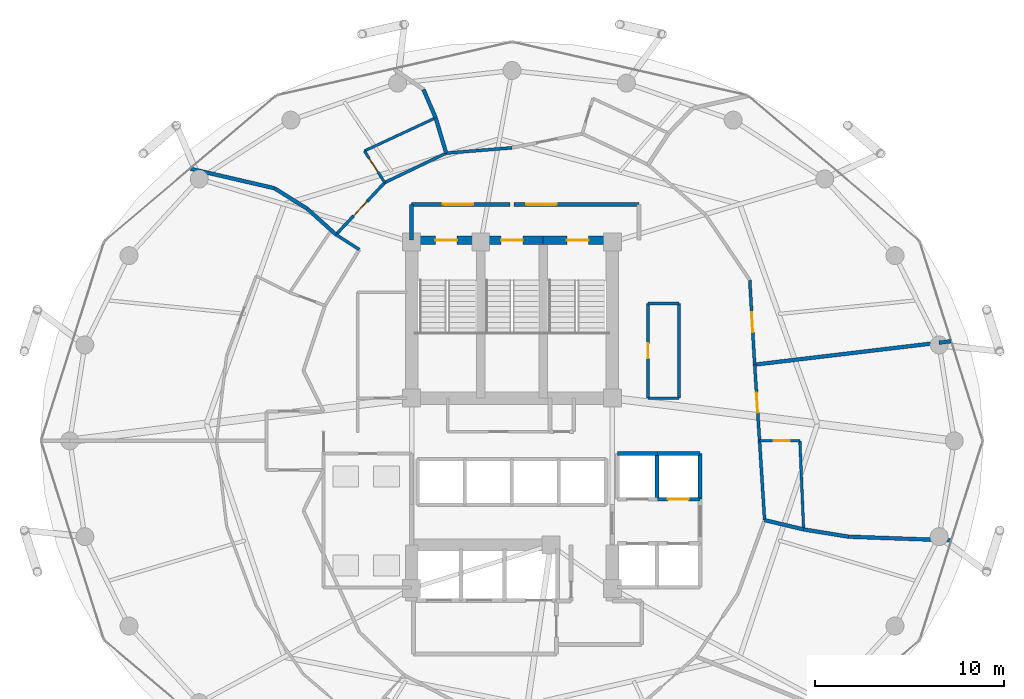
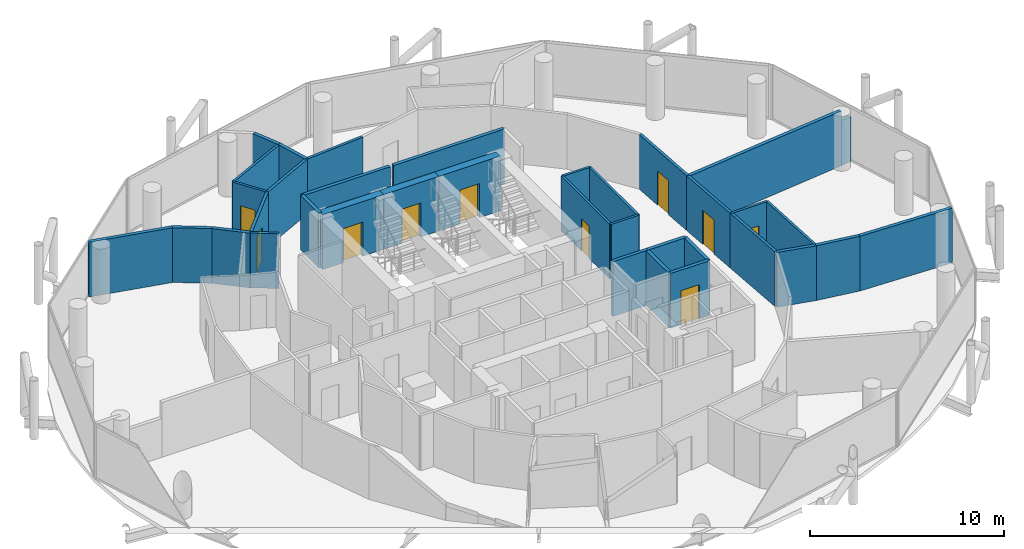
# One storey, part 24 of 26: 36 walls, 12 doors, 12 openings.
"""IFC4 building model written with IfcOpenShell, lengths in metres."""

from ifc_helpers import new_model, si_unit, direction, frame, frame_2d, origin, place, context, subcontext, project, spatial, rectangle, extrude, material, layer, layer_set, type_object, element, fill, save


model = new_model("IFC4")

# Units and contexts
model_context = context("Model", 3, precision=1e-05, world=origin(), true_north=direction((0.0, 1.0)))
body_context = subcontext(model_context, "Body", "Model", "MODEL_VIEW")
ifc_project = project(units=[si_unit("LENGTHUNIT", "METRE"), si_unit("AREAUNIT", "SQUARE_METRE"), si_unit("VOLUMEUNIT", "CUBIC_METRE"), si_unit("PLANEANGLEUNIT", "RADIAN"), si_unit("MASSUNIT", "GRAM", prefix="KILO")], contexts=[model_context])

# Site, building, storey
site_placement = place(None, origin())
site = spatial("IfcSite", under=ifc_project, at=site_placement, CompositionType="ELEMENT")
building_placement = place(site_placement, origin())
building = spatial("IfcBuilding", under=site, at=building_placement, Name="Nuhasar Tower", CompositionType="ELEMENT")
storey_placement = place(building_placement, frame((0.0, 0.0, 118.25)))
storey = spatial("IfcBuildingStorey", under=building, at=storey_placement, Name="L27", CompositionType="ELEMENT", Elevation=118.25)

# Wall, opening, door
ifc_material_1 = material(Name="Concrete C50/60", Category="concrete")
ifc_layer_1 = layer(ifc_material_1, 0.449951171875)
ifc_layer_set_1 = layer_set([ifc_layer_1], Name="Concrete C50/60")
wall_type_1 = type_object("IfcWallType", Name="WL-CORE-450", PredefinedType="SHEAR", material=ifc_layer_set_1)
wall_1_placement = place(storey_placement, frame((37.35009765625, 37.39990234375, 0.0), z_axis=(0.0, 0.0, 1.0), x_axis=(-1.0, 0.0, 0.0)))
wall_1 = element("IfcWall", 1, at=wall_1_placement, inside=storey, type_object=wall_type_1, Name="L27 Stairwell Shear Wall ST01-N", PredefinedType="SHEAR", context=body_context, shape_type="SweptSolid", body=[
    extrude(rectangle(XDim=3.650146484375, YDim=0.449951171875, at=frame_2d((1.8251953125, 0.0))), origin(), (0.0, 0.0, 1.0), 3.449951171875),
])
opening_1_placement = place(wall_1_placement, frame((1.25, 0.0, 0.0)))
opening_1 = element("IfcOpeningElement", 2, at=opening_1_placement, cuts=wall_1, Name="Opening DS-01", PredefinedType="OPENING", context=body_context, shape_type="SweptSolid", body=[
    extrude(rectangle(XDim=1.14990234375, YDim=2.14990234375, at=frame_2d((0.574951171875, 1.074951171875))), frame((0.0, 0.23486328125, 0.0), z_axis=(0.0, -1.0, 0.0), x_axis=(1.0, 0.0, 0.0)), (0.0, 0.0, 1.0), 0.469970703125),
])
ifc_material_2 = material(Name="Steel S355", Category="steel")
door_type_1 = type_object("IfcDoorType", Name="DR-STAIR-FD120-1150", OperationType="NOTDEFINED", PredefinedType="DOOR", material=ifc_material_2)
door_1_placement = place(opening_1_placement, origin())
door_1 = element("IfcDoor", 3, at=door_1_placement, inside=storey, type_object=door_type_1, Name="L27 Exit Stair ST-01 Door", OperationType="SINGLE_SWING_RIGHT", OverallHeight=2.14990234375, OverallWidth=1.14990234375, PredefinedType="DOOR", context=body_context, shape_type="SweptSolid", body=[
    extrude(rectangle(XDim=1.14990234375, YDim=2.14990234375, at=frame_2d((0.574951171875, 1.074951171875))), frame((0.0, 0.02490234375, 0.0), z_axis=(0.0, -1.0, 0.0), x_axis=(1.0, 0.0, 0.0)), (0.0, 0.0, 1.0), 0.050048828125),
])
fill(opening_1, door_1)

wall_2_placement = place(storey_placement, frame((40.64990234375, 37.39990234375, 0.0), z_axis=(0.0, 0.0, 1.0), x_axis=(-1.0, 0.0, 0.0)))
wall_2 = element("IfcWall", 4, at=wall_2_placement, inside=storey, type_object=wall_type_1, Name="L27 Stairwell Shear Wall ST03-N", PredefinedType="SHEAR", context=body_context, shape_type="SweptSolid", body=[
    extrude(rectangle(XDim=3.2998046875, YDim=0.449951171875, at=frame_2d((1.64990234375, 0.0))), origin(), (0.0, 0.0, 1.0), 3.449951171875),
])
opening_2_placement = place(wall_2_placement, frame((1.074951171875, 0.0, 0.0)))
opening_2 = element("IfcOpeningElement", 5, at=opening_2_placement, cuts=wall_2, Name="Opening DS-01", PredefinedType="OPENING", context=body_context, shape_type="SweptSolid", body=[
    extrude(rectangle(XDim=1.14990234375, YDim=2.14990234375, at=frame_2d((0.574951171875, 1.074951171875))), frame((0.0, 0.23486328125, 0.0), z_axis=(0.0, -1.0, 0.0), x_axis=(1.0, 0.0, 0.0)), (0.0, 0.0, 1.0), 0.469970703125),
])
door_2_placement = place(opening_2_placement, origin())
door_2 = element("IfcDoor", 6, at=door_2_placement, inside=storey, type_object=door_type_1, Name="L27 Exit Stair ST-03 Door", OperationType="SINGLE_SWING_RIGHT", OverallHeight=2.14990234375, OverallWidth=1.14990234375, PredefinedType="DOOR", context=body_context, shape_type="SweptSolid", body=[
    extrude(rectangle(XDim=1.14990234375, YDim=2.14990234375, at=frame_2d((0.574951171875, 1.074951171875))), frame((0.0, 0.02490234375, 0.0), z_axis=(0.0, -1.0, 0.0), x_axis=(1.0, 0.0, 0.0)), (0.0, 0.0, 1.0), 0.050048828125),
])
fill(opening_2, door_2)

wall_3_placement = place(storey_placement, frame((44.300048828125, 37.39990234375, 0.0), z_axis=(0.0, 0.0, 1.0), x_axis=(-1.0, 0.0, 0.0)))
wall_3 = element("IfcWall", 7, at=wall_3_placement, inside=storey, type_object=wall_type_1, Name="L27 Stairwell Shear Wall ST02-N", PredefinedType="SHEAR", context=body_context, shape_type="SweptSolid", body=[
    extrude(rectangle(XDim=3.650146484375, YDim=0.449951171875, at=frame_2d((1.8251953125, 0.0))), origin(), (0.0, 0.0, 1.0), 3.449951171875),
])
opening_3_placement = place(wall_3_placement, frame((1.25, 0.0, 0.0)))
opening_3 = element("IfcOpeningElement", 8, at=opening_3_placement, cuts=wall_3, Name="Opening DS-01", PredefinedType="OPENING", context=body_context, shape_type="SweptSolid", body=[
    extrude(rectangle(XDim=1.14990234375, YDim=2.14990234375, at=frame_2d((0.574951171875, 1.074951171875))), frame((0.0, 0.23486328125, 0.0), z_axis=(0.0, -1.0, 0.0), x_axis=(1.0, 0.0, 0.0)), (0.0, 0.0, 1.0), 0.469970703125),
])
door_3_placement = place(opening_3_placement, origin())
door_3 = element("IfcDoor", 9, at=door_3_placement, inside=storey, type_object=door_type_1, Name="L27 Exit Stair ST-02 Door", OperationType="SINGLE_SWING_LEFT", OverallHeight=2.14990234375, OverallWidth=1.14990234375, PredefinedType="DOOR", context=body_context, shape_type="SweptSolid", body=[
    extrude(rectangle(XDim=1.14990234375, YDim=2.14990234375, at=frame_2d((0.574951171875, 1.074951171875))), frame((0.0, 0.02490234375, 0.0), z_axis=(0.0, -1.0, 0.0), x_axis=(1.0, 0.0, 0.0)), (0.0, 0.0, 1.0), 0.050048828125),
])
fill(opening_3, door_3)

# Wall
ifc_material_3 = material(Name="Gypsum Board", Category="gypsum")
ifc_layer_2 = layer(ifc_material_3, 0.159912109375)
ifc_layer_set_2 = layer_set([ifc_layer_2], Name="Gypsum Board")
wall_type_2 = type_object("IfcWallType", Name="WL-CORR-160", PredefinedType="PARTITIONING", material=ifc_layer_set_2)
wall_4_placement = place(storey_placement, frame((52.3369140625, 22.614013671875, 0.0), z_axis=(0.0, 0.0, 1.0), x_axis=(-0.063617518313, 0.997974354061, 0.0)))
element("IfcWall", 10, at=wall_4_placement, inside=storey, type_object=wall_type_2, Name="L27 Interior Partition CORR-46", PredefinedType="PARTITIONING", context=body_context, shape_type="SweptSolid", body=[
    extrude(rectangle(XDim=4.194580078125, YDim=0.159912109375, at=frame_2d((2.09716796875, 0.0))), origin(), (0.0, 0.0, 1.0), 3.449951171875),
])

# Wall, opening, door
wall_5_placement = place(storey_placement, frame((51.81201171875, 30.822021484375, 0.0), z_axis=(0.0, 0.0, 1.0), x_axis=(0.064030047677, -0.997947971086, 0.0)))
wall_5 = element("IfcWall", 11, at=wall_5_placement, inside=storey, type_object=wall_type_2, Name="L27 Interior Partition CORR-00", PredefinedType="PARTITIONING", context=body_context, shape_type="SweptSolid", body=[
    extrude(rectangle(XDim=4.0302734375, YDim=0.159912109375, at=frame_2d((2.01513671875, 0.0))), origin(), (0.0, 0.0, 1.0), 3.449951171875),
])
opening_4_placement = place(wall_5_placement, frame((1.489990234375, 0.0, 0.0)))
opening_4 = element("IfcOpeningElement", 12, at=opening_4_placement, cuts=wall_5, Name="Opening DU-01", PredefinedType="OPENING", context=body_context, shape_type="SweptSolid", body=[
    extrude(rectangle(XDim=1.050048828125, YDim=2.14990234375, at=frame_2d((0.52490234375, 1.074951171875))), frame((0.0, 0.08984375, 0.0), z_axis=(0.0, -1.0, 0.0), x_axis=(1.0, 0.0, 0.0)), (0.0, 0.0, 1.0), 0.179931640625),
])
ifc_material_4 = material(Name="Timber Oak", Category="wood")
door_type_2 = type_object("IfcDoorType", Name="DR-SUITE-FD60-1050", OperationType="NOTDEFINED", PredefinedType="DOOR", material=ifc_material_4)
door_4_placement = place(opening_4_placement, origin())
door_4 = element("IfcDoor", 13, at=door_4_placement, inside=storey, type_object=door_type_2, Name="L27 Deluxe Junior Suite 03 Entrance Door", OperationType="SINGLE_SWING_LEFT", OverallHeight=2.14990234375, OverallWidth=1.050048828125, PredefinedType="DOOR", context=body_context, shape_type="SweptSolid", body=[
    extrude(rectangle(XDim=1.050048828125, YDim=2.14990234375, at=frame_2d((0.52490234375, 1.074951171875))), frame((0.0, 0.02490234375, 0.0), z_axis=(0.0, -1.0, 0.0), x_axis=(1.0, 0.0, 0.0)), (0.0, 0.0, 1.0), 0.050048828125),
])
fill(opening_4, door_4)

wall_6_placement = place(storey_placement, frame((51.552001953125, 35.291015625, 0.0), z_axis=(0.0, 0.0, 1.0), x_axis=(0.058082602913, -0.998311780577, 0.0)))
wall_6 = element("IfcWall", 14, at=wall_6_placement, inside=storey, type_object=wall_type_2, Name="L27 Interior Partition CORR-02", PredefinedType="PARTITIONING", context=body_context, shape_type="SweptSolid", body=[
    extrude(rectangle(XDim=4.4765625, YDim=0.159912109375, at=frame_2d((2.23828125, 0.0))), origin(), (0.0, 0.0, 1.0), 3.449951171875),
])
opening_5_placement = place(wall_6_placement, frame((1.712890625, 0.0, 0.0)))
opening_5 = element("IfcOpeningElement", 15, at=opening_5_placement, cuts=wall_6, Name="Opening DU-01", PredefinedType="OPENING", context=body_context, shape_type="SweptSolid", body=[
    extrude(rectangle(XDim=1.050048828125, YDim=2.14990234375, at=frame_2d((0.52490234375, 1.074951171875))), frame((0.0, 0.08984375, 0.0), z_axis=(0.0, -1.0, 0.0), x_axis=(1.0, 0.0, 0.0)), (0.0, 0.0, 1.0), 0.179931640625),
])
door_5_placement = place(opening_5_placement, origin())
door_5 = element("IfcDoor", 16, at=door_5_placement, inside=storey, type_object=door_type_2, Name="L27 Horizon Breakfast Pantry Entrance Door", OperationType="SINGLE_SWING_RIGHT", OverallHeight=2.14990234375, OverallWidth=1.050048828125, PredefinedType="DOOR", context=body_context, shape_type="SweptSolid", body=[
    extrude(rectangle(XDim=1.050048828125, YDim=2.14990234375, at=frame_2d((0.52490234375, 1.074951171875))), frame((0.0, 0.02490234375, 0.0), z_axis=(0.0, -1.0, 0.0), x_axis=(1.0, 0.0, 0.0)), (0.0, 0.0, 1.0), 0.050048828125),
])
fill(opening_5, door_5)

# Walls
wall_7_placement = place(storey_placement, frame((39.0, 42.27001953125, 0.0), z_axis=(0.0, 0.0, 1.0), x_axis=(-0.99676721303, -0.080343780277, 0.0)))
element("IfcWall", 17, at=wall_7_placement, inside=storey, type_object=wall_type_2, Name="L27 Interior Partition CORR-12", PredefinedType="PARTITIONING", context=body_context, shape_type="SweptSolid", body=[
    extrude(rectangle(XDim=3.4853515625, YDim=0.159912109375, at=frame_2d((1.74267578125, 0.0))), origin(), (0.0, 0.0, 1.0), 3.449951171875),
])
wall_8_placement = place(storey_placement, frame((35.52587890625, 41.989990234375, 0.0), z_axis=(0.0, 0.0, 1.0), x_axis=(-0.901911315708, -0.43192126435, 0.0)))
element("IfcWall", 18, at=wall_8_placement, inside=storey, type_object=wall_type_2, Name="L27 Interior Partition CORR-14", PredefinedType="PARTITIONING", context=body_context, shape_type="SweptSolid", body=[
    extrude(rectangle(XDim=3.59765625, YDim=0.159912109375, at=frame_2d((1.798828125, 0.0))), origin(), (0.0, 0.0, 1.0), 3.449951171875),
])

# Wall, opening, door
wall_9_placement = place(storey_placement, frame((29.7080078125, 37.68701171875, 0.0), z_axis=(0.0, 0.0, 1.0), x_axis=(0.683345616113, 0.730095041032, 0.0)))
wall_9 = element("IfcWall", 19, at=wall_9_placement, inside=storey, type_object=wall_type_2, Name="L27 Interior Partition CORR-16", PredefinedType="PARTITIONING", context=body_context, shape_type="SweptSolid", body=[
    extrude(rectangle(XDim=3.765380859375, YDim=0.159912109375, at=frame_2d((1.8828125, 0.0))), origin(), (0.0, 0.0, 1.0), 3.449951171875),
])
opening_6_placement = place(wall_9_placement, frame((1.35791015625, 0.0, 0.0)))
opening_6 = element("IfcOpeningElement", 20, at=opening_6_placement, cuts=wall_9, Name="Opening DU-01", PredefinedType="OPENING", context=body_context, shape_type="SweptSolid", body=[
    extrude(rectangle(XDim=1.050048828125, YDim=2.14990234375, at=frame_2d((0.52490234375, 1.074951171875))), frame((0.0, 0.08984375, 0.0), z_axis=(0.0, -1.0, 0.0), x_axis=(1.0, 0.0, 0.0)), (0.0, 0.0, 1.0), 0.179931640625),
])
door_6_placement = place(opening_6_placement, origin())
door_6 = element("IfcDoor", 21, at=door_6_placement, inside=storey, type_object=door_type_2, Name="L27 Deluxe Junior Suite 06 Entrance Door", OperationType="SINGLE_SWING_LEFT", OverallHeight=2.14990234375, OverallWidth=1.050048828125, PredefinedType="DOOR", context=body_context, shape_type="SweptSolid", body=[
    extrude(rectangle(XDim=1.050048828125, YDim=2.14990234375, at=frame_2d((0.52490234375, 1.074951171875))), frame((0.0, 0.02490234375, 0.0), z_axis=(0.0, -1.0, 0.0), x_axis=(1.0, 0.0, 0.0)), (0.0, 0.0, 1.0), 0.050048828125),
])
fill(opening_6, door_6)

# Walls
wall_10_placement = place(storey_placement, frame((30.93896484375, 36.89697265625, 0.0), z_axis=(0.0, 0.0, 1.0), x_axis=(-0.841579560028, 0.5401331726, 0.0)))
element("IfcWall", 22, at=wall_10_placement, inside=storey, type_object=wall_type_2, Name="L27 Interior Partition HRAD-18-IN", PredefinedType="PARTITIONING", context=body_context, shape_type="SweptSolid", body=[
    extrude(rectangle(XDim=1.462646484375, YDim=0.159912109375, at=frame_2d((0.7314453125, 0.0))), origin(), (0.0, 0.0, 1.0), 3.449951171875),
])
ifc_material_5 = material(Name="Concrete C45/55", Category="concrete")
ifc_layer_3 = layer(ifc_material_5, 0.199951171875)
ifc_layer_set_3 = layer_set([ifc_layer_3], Name="Concrete C45/55")
wall_type_3 = type_object("IfcWallType", Name="WL-LOBBY-200", PredefinedType="SOLIDWALL", material=ifc_layer_set_3)
wall_11_placement = place(storey_placement, frame((33.699951171875, 37.39990234375, 0.0), z_axis=(0.0, 0.0, 1.0), x_axis=(0.0, 1.0, 0.0)))
element("IfcWall", 23, at=wall_11_placement, inside=storey, type_object=wall_type_3, Name="L27 Interior Partition NSL-W", PredefinedType="SOLIDWALL", context=body_context, shape_type="SweptSolid", body=[
    extrude(rectangle(XDim=1.880126953125, YDim=0.199951171875, at=frame_2d((0.93994140625, 0.0))), origin(), (0.0, 0.0, 1.0), 3.449951171875),
])

# Wall, opening, door
wall_12_placement = place(storey_placement, frame((38.89990234375, 39.280029296875, 0.0), z_axis=(0.0, 0.0, 1.0), x_axis=(-1.0, 0.0, 0.0)))
wall_12 = element("IfcWall", 24, at=wall_12_placement, inside=storey, type_object=wall_type_3, Name="L27 Interior Partition NSL-N1", PredefinedType="SOLIDWALL", context=body_context, shape_type="SweptSolid", body=[
    extrude(rectangle(XDim=5.199951171875, YDim=0.199951171875, at=frame_2d((2.60009765625, 0.0))), origin(), (0.0, 0.0, 1.0), 3.449951171875),
])
opening_7_placement = place(wall_12_placement, frame((1.949951171875, 0.0, 0.0)))
opening_7 = element("IfcOpeningElement", 25, at=opening_7_placement, cuts=wall_12, Name="Opening DC-01", PredefinedType="OPENING", context=body_context, shape_type="SweptSolid", body=[
    extrude(rectangle(XDim=1.60009765625, YDim=2.199951171875, at=frame_2d((0.800048828125, 1.10009765625))), frame((0.0, 0.10986328125, 0.0), z_axis=(0.0, -1.0, 0.0), x_axis=(1.0, 0.0, 0.0)), (0.0, 0.0, 1.0), 0.219970703125),
])
door_type_3 = type_object("IfcDoorType", Name="DR-CORR-FD60-1600", OperationType="DOUBLE_DOOR_SINGLE_SWING", PredefinedType="DOOR", material=ifc_material_2)
door_7_placement = place(opening_7_placement, origin())
door_7 = element("IfcDoor", 26, at=door_7_placement, inside=storey, type_object=door_type_3, Name="L27 North Stair Lobby West Door", OperationType="DOUBLE_DOOR_SINGLE_SWING", OverallHeight=2.199951171875, OverallWidth=1.60009765625, PredefinedType="DOOR", context=body_context, shape_type="SweptSolid", body=[
    extrude(rectangle(XDim=1.60009765625, YDim=2.199951171875, at=frame_2d((0.800048828125, 1.10009765625))), frame((0.0, 0.02490234375, 0.0), z_axis=(0.0, -1.0, 0.0), x_axis=(1.0, 0.0, 0.0)), (0.0, 0.0, 1.0), 0.050048828125),
])
fill(opening_7, door_7)

wall_13_placement = place(storey_placement, frame((45.699951171875, 39.280029296875, 0.0), z_axis=(0.0, 0.0, 1.0), x_axis=(-1.0, 0.0, 0.0)))
wall_13 = element("IfcWall", 27, at=wall_13_placement, inside=storey, type_object=wall_type_3, Name="L27 Interior Partition NSL-N2", PredefinedType="SOLIDWALL", context=body_context, shape_type="SweptSolid", body=[
    extrude(rectangle(XDim=6.599853515625, YDim=0.199951171875, at=frame_2d((3.2998046875, 0.0))), origin(), (0.0, 0.0, 1.0), 3.449951171875),
])
opening_8_placement = place(wall_13_placement, frame((4.35009765625, 0.0, 0.0)))
opening_8 = element("IfcOpeningElement", 28, at=opening_8_placement, cuts=wall_13, Name="Opening DC-01", PredefinedType="OPENING", context=body_context, shape_type="SweptSolid", body=[
    extrude(rectangle(XDim=1.60009765625, YDim=2.199951171875, at=frame_2d((0.800048828125, 1.10009765625))), frame((0.0, 0.10986328125, 0.0), z_axis=(0.0, -1.0, 0.0), x_axis=(1.0, 0.0, 0.0)), (0.0, 0.0, 1.0), 0.219970703125),
])
door_8_placement = place(opening_8_placement, origin())
door_8 = element("IfcDoor", 29, at=door_8_placement, inside=storey, type_object=door_type_3, Name="L27 North Stair Lobby East Door", OperationType="DOUBLE_DOOR_SINGLE_SWING", OverallHeight=2.199951171875, OverallWidth=1.60009765625, PredefinedType="DOOR", context=body_context, shape_type="SweptSolid", body=[
    extrude(rectangle(XDim=1.60009765625, YDim=2.199951171875, at=frame_2d((0.800048828125, 1.10009765625))), frame((0.0, 0.02490234375, 0.0), z_axis=(0.0, -1.0, 0.0), x_axis=(1.0, 0.0, 0.0)), (0.0, 0.0, 1.0), 0.050048828125),
])
fill(opening_8, door_8)

# Walls
ifc_layer_4 = layer(ifc_material_5, 0.199951171875)
ifc_layer_set_4 = layer_set([ifc_layer_4], Name="Concrete C45/55")
wall_type_4 = type_object("IfcWallType", Name="WL-SHAFT-200", PredefinedType="SOLIDWALL", material=ifc_layer_set_4)
wall_14_placement = place(storey_placement, frame((44.570068359375, 26.1298828125, 0.0), z_axis=(0.0, 0.0, 1.0), x_axis=(1.0, 0.0, 0.0)))
element("IfcWall", 30, at=wall_14_placement, inside=storey, type_object=wall_type_4, Name="L27 Interior Partition SHF-PL-M01-N", PredefinedType="SOLIDWALL", context=body_context, shape_type="SweptSolid", body=[
    extrude(rectangle(XDim=2.10986328125, YDim=0.199951171875, at=frame_2d((1.054931640625, 0.0))), origin(), (0.0, 0.0, 1.0), 3.449951171875),
])
wall_15_placement = place(storey_placement, frame((46.64990234375, 23.719970703125, 0.0), z_axis=(0.0, 0.0, 1.0), x_axis=(0.0, 1.0, 0.0)))
element("IfcWall", 31, at=wall_15_placement, inside=storey, type_object=wall_type_4, Name="L27 Interior Partition SHF-PL-M01-E", PredefinedType="SOLIDWALL", context=body_context, shape_type="SweptSolid", body=[
    extrude(rectangle(XDim=2.409912109375, YDim=0.199951171875, at=frame_2d((1.205078125, 0.0))), origin(), (0.0, 0.0, 1.0), 3.449951171875),
])

# Wall, opening, door
wall_16_placement = place(storey_placement, frame((46.6201171875, 23.719970703125, 0.0), z_axis=(0.0, 0.0, 1.0), x_axis=(1.0, 0.0, 0.0)))
wall_16 = element("IfcWall", 32, at=wall_16_placement, inside=storey, type_object=wall_type_4, Name="L27 Interior Partition SHF-PL-M02-S", PredefinedType="SOLIDWALL", context=body_context, shape_type="SweptSolid", body=[
    extrude(rectangle(XDim=2.309814453125, YDim=0.199951171875, at=frame_2d((1.15478515625, 0.0))), origin(), (0.0, 0.0, 1.0), 3.449951171875),
])
opening_9_placement = place(wall_16_placement, frame((0.60498046875, 0.0, 0.0)))
opening_9 = element("IfcOpeningElement", 33, at=opening_9_placement, cuts=wall_16, Name="Opening LD-M02", PredefinedType="OPENING", context=body_context, shape_type="SweptSolid", body=[
    extrude(rectangle(XDim=1.10009765625, YDim=2.14990234375, at=frame_2d((0.550048828125, 1.074951171875))), frame((0.0, 0.10986328125, 0.0), z_axis=(0.0, -1.0, 0.0), x_axis=(1.0, 0.0, 0.0)), (0.0, 0.0, 1.0), 0.219970703125),
])
ifc_material_6 = material(Name="Stainless Steel 316L", Category="steel")
door_type_4 = type_object("IfcDoorType", Name="LD-PAX-1100", OperationType="DOUBLE_DOOR_SLIDING", PredefinedType="DOOR", material=ifc_material_6)
door_9_placement = place(opening_9_placement, origin())
door_9 = element("IfcDoor", 34, at=door_9_placement, inside=storey, type_object=door_type_4, Name="L27 Lift Landing Door PL-M02", OperationType="DOUBLE_DOOR_SLIDING", OverallHeight=2.14990234375, OverallWidth=1.10009765625, PredefinedType="DOOR", context=body_context, shape_type="SweptSolid", body=[
    extrude(rectangle(XDim=1.10009765625, YDim=2.14990234375, at=frame_2d((0.550048828125, 1.074951171875))), frame((0.0, 0.02490234375, 0.0), z_axis=(0.0, -1.0, 0.0), x_axis=(1.0, 0.0, 0.0)), (0.0, 0.0, 1.0), 0.050048828125),
])
fill(opening_9, door_9)

# Walls
wall_17_placement = place(storey_placement, frame((46.6201171875, 26.1298828125, 0.0), z_axis=(0.0, 0.0, 1.0), x_axis=(1.0, 0.0, 0.0)))
element("IfcWall", 35, at=wall_17_placement, inside=storey, type_object=wall_type_4, Name="L27 Interior Partition SHF-PL-M02-N", PredefinedType="SOLIDWALL", context=body_context, shape_type="SweptSolid", body=[
    extrude(rectangle(XDim=2.309814453125, YDim=0.199951171875, at=frame_2d((1.15478515625, 0.0))), origin(), (0.0, 0.0, 1.0), 3.449951171875),
])
wall_18_placement = place(storey_placement, frame((48.929931640625, 23.719970703125, 0.0), z_axis=(0.0, 0.0, 1.0), x_axis=(0.0, 1.0, 0.0)))
element("IfcWall", 36, at=wall_18_placement, inside=storey, type_object=wall_type_4, Name="L27 Interior Partition SHF-PL-M02-E", PredefinedType="SOLIDWALL", context=body_context, shape_type="SweptSolid", body=[
    extrude(rectangle(XDim=2.409912109375, YDim=0.199951171875, at=frame_2d((1.205078125, 0.0))), origin(), (0.0, 0.0, 1.0), 3.449951171875),
])
ifc_material_7 = material(Name="Concrete C40/50 precast", Category="concrete")
ifc_layer_5 = layer(ifc_material_7, 0.199951171875)
ifc_layer_set_5 = layer_set([ifc_layer_5], Name="Concrete C40/50 precast")
wall_type_5 = type_object("IfcWallType", Name="WL-UNIT-200", PredefinedType="PARTITIONING", material=ifc_layer_set_5)
wall_19_placement = place(storey_placement, frame((29.7080078125, 37.68701171875, 0.0), z_axis=(0.0, 0.0, 1.0), x_axis=(-0.74324040167, 0.669024442996, 0.0)))
element("IfcWall", 37, at=wall_19_placement, inside=storey, type_object=wall_type_5, Name="L27 Interior Partition HRAD-18-OUT-S1", PredefinedType="PARTITIONING", context=body_context, shape_type="SweptSolid", body=[
    extrude(rectangle(XDim=2.032958984375, YDim=0.199951171875, at=frame_2d((1.0166015625, 0.0))), origin(), (0.0, 0.0, 1.0), 3.449951171875),
])
wall_20_placement = place(storey_placement, frame((28.197021484375, 39.047119140625, 0.0), z_axis=(0.0, 0.0, 1.0), x_axis=(-0.847831276323, 0.530266090646, 0.0)))
element("IfcWall", 38, at=wall_20_placement, inside=storey, type_object=wall_type_5, Name="L27 Interior Partition HRAD-18-OUT-S2", PredefinedType="PARTITIONING", context=body_context, shape_type="SweptSolid", body=[
    extrude(rectangle(XDim=2.053466796875, YDim=0.199951171875, at=frame_2d((1.02685546875, 0.0))), origin(), (0.0, 0.0, 1.0), 3.449951171875),
])
wall_21_placement = place(storey_placement, frame((26.4560546875, 40.135986328125, 0.0), z_axis=(0.0, 0.0, 1.0), x_axis=(-0.974112463391, 0.226063948177, 0.0)))
element("IfcWall", 39, at=wall_21_placement, inside=storey, type_object=wall_type_5, Name="L27 Interior Partition HRAD-18-OUT-S3", PredefinedType="PARTITIONING", context=body_context, shape_type="SweptSolid", body=[
    extrude(rectangle(XDim=4.529296875, YDim=0.199951171875, at=frame_2d((2.2646484375, 0.0))), origin(), (0.0, 0.0, 1.0), 3.449951171875),
])
wall_22_placement = place(storey_placement, frame((52.3369140625, 22.614013671875, 0.0), z_axis=(0.0, 0.0, 1.0), x_axis=(0.972676255442, -0.232165678123, 0.0)))
element("IfcWall", 40, at=wall_22_placement, inside=storey, type_object=wall_type_5, Name="L27 Interior Partition HRAD-46-S1", PredefinedType="PARTITIONING", context=body_context, shape_type="SweptSolid", body=[
    extrude(rectangle(XDim=2.118896484375, YDim=0.199951171875, at=frame_2d((1.0595703125, 0.0))), origin(), (0.0, 0.0, 1.0), 3.449951171875),
])
wall_23_placement = place(storey_placement, frame((54.39794921875, 22.1220703125, 0.0), z_axis=(0.0, 0.0, 1.0), x_axis=(0.987136277259, -0.159881112451, 0.0)))
element("IfcWall", 41, at=wall_23_placement, inside=storey, type_object=wall_type_5, Name="L27 Interior Partition HRAD-46-S2", PredefinedType="PARTITIONING", context=body_context, shape_type="SweptSolid", body=[
    extrude(rectangle(XDim=2.402099609375, YDim=0.199951171875, at=frame_2d((1.201171875, 0.0))), origin(), (0.0, 0.0, 1.0), 3.449951171875),
])
wall_24_placement = place(storey_placement, frame((56.76904296875, 21.738037109375, 0.0), z_axis=(0.0, 0.0, 1.0), x_axis=(0.999353019486, -0.035965851086, 0.0)))
element("IfcWall", 42, at=wall_24_placement, inside=storey, type_object=wall_type_5, Name="L27 Interior Partition HRAD-46-S3", PredefinedType="PARTITIONING", context=body_context, shape_type="SweptSolid", body=[
    extrude(rectangle(XDim=5.396484375, YDim=0.199951171875, at=frame_2d((2.6982421875, 0.0))), origin(), (0.0, 0.0, 1.0), 3.449951171875),
])
wall_25_placement = place(storey_placement, frame((51.81201171875, 30.822021484375, 0.0), z_axis=(0.0, 0.0, 1.0), x_axis=(0.992973508354, 0.118336856925, 0.0)))
element("IfcWall", 43, at=wall_25_placement, inside=storey, type_object=wall_type_5, Name="L27 Interior Partition HRAD-02", PredefinedType="PARTITIONING", context=body_context, shape_type="SweptSolid", body=[
    extrude(rectangle(XDim=9.8017578125, YDim=0.199951171875, at=frame_2d((4.90087890625, 0.0))), origin(), (0.0, 0.0, 1.0), 3.449951171875),
])
wall_26_placement = place(storey_placement, frame((61.544921875, 31.98193359375, 0.0), z_axis=(0.0, 0.0, 1.0), x_axis=(0.992893555013, 0.119005833532, 0.0)))
element("IfcWall", 44, at=wall_26_placement, inside=storey, type_object=wall_type_5, Name="L27 Interior Partition HRAD-02", PredefinedType="PARTITIONING", context=body_context, shape_type="SweptSolid", body=[
    extrude(rectangle(XDim=0.62158203125, YDim=0.199951171875, at=frame_2d((0.310791015625, 0.0))), origin(), (0.0, 0.0, 1.0), 2.8349609375),
])
wall_27_placement = place(storey_placement, frame((35.52587890625, 41.989990234375, 0.0), z_axis=(0.0, 0.0, 1.0), x_axis=(-0.285930550579, 0.958250343201, 0.0)))
element("IfcWall", 45, at=wall_27_placement, inside=storey, type_object=wall_type_5, Name="L27 Interior Partition HRAD-14-S1", PredefinedType="PARTITIONING", context=body_context, shape_type="SweptSolid", body=[
    extrude(rectangle(XDim=1.944091796875, YDim=0.199951171875, at=frame_2d((0.97216796875, 0.0))), origin(), (0.0, 0.0, 1.0), 3.449951171875),
])
wall_28_placement = place(storey_placement, frame((34.969970703125, 43.85302734375, 0.0), z_axis=(0.0, 0.0, 1.0), x_axis=(-0.39540215096, 0.918508105036, 0.0)))
element("IfcWall", 46, at=wall_28_placement, inside=storey, type_object=wall_type_5, Name="L27 Interior Partition HRAD-14-S2", PredefinedType="PARTITIONING", context=body_context, shape_type="SweptSolid", body=[
    extrude(rectangle(XDim=1.62890625, YDim=0.199951171875, at=frame_2d((0.814453125, 0.0))), origin(), (0.0, 0.0, 1.0), 3.449951171875),
])

# Wall, opening, door
ifc_layer_6 = layer(ifc_material_7, 0.139892578125)
ifc_layer_set_6 = layer_set([ifc_layer_6], Name="Concrete C40/50 precast")
wall_type_6 = type_object("IfcWallType", Name="WL-WET-140", PredefinedType="PARTITIONING", material=ifc_layer_set_6)
wall_29_placement = place(storey_placement, frame((46.179931640625, 34.050048828125, 0.0), z_axis=(0.0, 0.0, 1.0), x_axis=(0.0, -1.0, 0.0)))
wall_29 = element("IfcWall", 47, at=wall_29_placement, inside=storey, type_object=wall_type_6, Name="L27 Interior Partition K3-NE-W", PredefinedType="PARTITIONING", context=body_context, shape_type="SweptSolid", body=[
    extrude(rectangle(XDim=5.0, YDim=0.139892578125, at=frame_2d((2.5, 0.0))), origin(), (0.0, 0.0, 1.0), 3.449951171875),
])
opening_10_placement = place(wall_29_placement, frame((2.10009765625, 0.0, 0.0)))
opening_10 = element("IfcOpeningElement", 48, at=opening_10_placement, cuts=wall_29, Name="Opening DM-01", PredefinedType="OPENING", context=body_context, shape_type="SweptSolid", body=[
    extrude(rectangle(XDim=0.800048828125, YDim=2.050048828125, at=frame_2d((0.39990234375, 1.02490234375))), frame((0.0, 0.080078125, 0.0), z_axis=(0.0, -1.0, 0.0), x_axis=(1.0, 0.0, 0.0)), (0.0, 0.0, 1.0), 0.159912109375),
])
door_type_5 = type_object("IfcDoorType", Name="DR-RISER-FD60-800", OperationType="NOTDEFINED", PredefinedType="DOOR", material=ifc_material_2)
door_10_placement = place(opening_10_placement, origin())
door_10 = element("IfcDoor", 49, at=door_10_placement, inside=storey, type_object=door_type_5, Name="L27 NE Switchgear Room Door", OperationType="SINGLE_SWING_RIGHT", OverallHeight=2.050048828125, OverallWidth=0.800048828125, PredefinedType="DOOR", context=body_context, shape_type="SweptSolid", body=[
    extrude(rectangle(XDim=0.800048828125, YDim=2.050048828125, at=frame_2d((0.39990234375, 1.02490234375))), frame((0.0, 0.02490234375, 0.0), z_axis=(0.0, -1.0, 0.0), x_axis=(1.0, 0.0, 0.0)), (0.0, 0.0, 1.0), 0.050048828125),
])
fill(opening_10, door_10)

# Walls
for number, where, z_axis, x_axis, name in (
    (50, (46.179931640625, 29.050048828125, 0.0), (0.0, 0.0, 1.0), (1.0, 0.0, 0.0), "L27 Interior Partition K3-NE-S"),
    (51, (46.179931640625, 34.050048828125, 0.0), (0.0, 0.0, 1.0), (1.0, 0.0, 0.0), "L27 Interior Partition K3-NE-N"),
):
    element("IfcWall", number, at=place(storey_placement, frame(where, z_axis=z_axis, x_axis=x_axis)), inside=storey, type_object=wall_type_6, Name=name, PredefinedType="PARTITIONING", context=body_context, shape_type="SweptSolid", body=[
        extrude(rectangle(XDim=1.64013671875, YDim=0.139892578125, at=frame_2d((0.820068359375, 0.0))), origin(), (0.0, 0.0, 1.0), 3.449951171875),
    ])
wall_30_placement = place(storey_placement, frame((47.820068359375, 29.050048828125, 0.0), z_axis=(0.0, 0.0, 1.0), x_axis=(0.0, 1.0, 0.0)))
element("IfcWall", 52, at=wall_30_placement, inside=storey, type_object=wall_type_6, Name="L27 Interior Partition K3-NE-E", PredefinedType="PARTITIONING", context=body_context, shape_type="SweptSolid", body=[
    extrude(rectangle(XDim=5.0, YDim=0.139892578125, at=frame_2d((2.5, 0.0))), origin(), (0.0, 0.0, 1.0), 3.449951171875),
])

# Wall, opening, door
wall_31_placement = place(storey_placement, frame((52.070068359375, 26.800048828125, 0.0), z_axis=(0.0, 0.0, 1.0), x_axis=(1.0, 0.0, 0.0)))
wall_31 = element("IfcWall", 53, at=wall_31_placement, inside=storey, type_object=wall_type_6, Name="L27 Interior Partition HBW-04", PredefinedType="PARTITIONING", context=body_context, shape_type="SweptSolid", body=[
    extrude(rectangle(XDim=2.1298828125, YDim=0.139892578125, at=frame_2d((1.06494140625, 0.0))), origin(), (0.0, 0.0, 1.0), 3.449951171875),
])
opening_11_placement = place(wall_31_placement, frame((0.7470703125, 0.0, 0.0)))
opening_11 = element("IfcOpeningElement", 54, at=opening_11_placement, cuts=wall_31, Name="Opening DB-01", PredefinedType="OPENING", context=body_context, shape_type="SweptSolid", body=[
    extrude(rectangle(XDim=0.85009765625, YDim=2.10009765625, at=frame_2d((0.425048828125, 1.050048828125))), frame((0.0, 0.080078125, 0.0), z_axis=(0.0, -1.0, 0.0), x_axis=(1.0, 0.0, 0.0)), (0.0, 0.0, 1.0), 0.159912109375),
])
door_type_6 = type_object("IfcDoorType", Name="DR-BATH-850", OperationType="NOTDEFINED", PredefinedType="DOOR", material=ifc_material_4)
door_11_placement = place(opening_11_placement, origin())
door_11 = element("IfcDoor", 55, at=door_11_placement, inside=storey, type_object=door_type_6, Name="L27 Deluxe Junior Suite 03 En-Suite Door", OperationType="SINGLE_SWING_RIGHT", OverallHeight=2.10009765625, OverallWidth=0.85009765625, PredefinedType="DOOR", context=body_context, shape_type="SweptSolid", body=[
    extrude(rectangle(XDim=0.85009765625, YDim=2.10009765625, at=frame_2d((0.425048828125, 1.050048828125))), frame((0.0, 0.02490234375, 0.0), z_axis=(0.0, -1.0, 0.0), x_axis=(1.0, 0.0, 0.0)), (0.0, 0.0, 1.0), 0.050048828125),
])
fill(opening_11, door_11)

# Wall
wall_32_placement = place(storey_placement, frame((54.39794921875, 22.1220703125, 0.0), z_axis=(0.0, 0.0, 1.0), x_axis=(-0.042287695865, 0.999105475302, 0.0)))
element("IfcWall", 56, at=wall_32_placement, inside=storey, type_object=wall_type_6, Name="L27 Interior Partition HBF-04-46", PredefinedType="PARTITIONING", context=body_context, shape_type="SweptSolid", body=[
    extrude(rectangle(XDim=4.68212890625, YDim=0.139892578125, at=frame_2d((2.341064453125, 0.0))), origin(), (0.0, 0.0, 1.0), 3.449951171875),
])

# Wall, opening, door
wall_33_placement = place(storey_placement, frame((32.281005859375, 40.43603515625, 0.0), z_axis=(0.0, 0.0, 1.0), x_axis=(-0.541591142475, 0.840642037013, 0.0)))
wall_33 = element("IfcWall", 57, at=wall_33_placement, inside=storey, type_object=wall_type_6, Name="L27 Interior Partition HBW-07", PredefinedType="PARTITIONING", context=body_context, shape_type="SweptSolid", body=[
    extrude(rectangle(XDim=1.98291015625, YDim=0.139892578125, at=frame_2d((0.991455078125, 0.0))), origin(), (0.0, 0.0, 1.0), 3.449951171875),
])
opening_12_placement = place(wall_33_placement, frame((0.666015625, 0.0, 0.0)))
opening_12 = element("IfcOpeningElement", 58, at=opening_12_placement, cuts=wall_33, Name="Opening DB-01", PredefinedType="OPENING", context=body_context, shape_type="SweptSolid", body=[
    extrude(rectangle(XDim=0.85009765625, YDim=2.10009765625, at=frame_2d((0.425048828125, 1.050048828125))), frame((0.0, 0.080078125, 0.0), z_axis=(0.0, -1.0, 0.0), x_axis=(1.0, 0.0, 0.0)), (0.0, 0.0, 1.0), 0.159912109375),
])
door_12_placement = place(opening_12_placement, origin())
door_12 = element("IfcDoor", 59, at=door_12_placement, inside=storey, type_object=door_type_6, Name="L27 Deluxe Junior Suite 06 En-Suite Door", OperationType="SINGLE_SWING_RIGHT", OverallHeight=2.10009765625, OverallWidth=0.85009765625, PredefinedType="DOOR", context=body_context, shape_type="SweptSolid", body=[
    extrude(rectangle(XDim=0.85009765625, YDim=2.10009765625, at=frame_2d((0.425048828125, 1.050048828125))), frame((0.0, 0.02490234375, 0.0), z_axis=(0.0, -1.0, 0.0), x_axis=(1.0, 0.0, 0.0)), (0.0, 0.0, 1.0), 0.050048828125),
])
fill(opening_12, door_12)

# Wall
wall_34_placement = place(storey_placement, frame((34.969970703125, 43.85302734375, 0.0), z_axis=(0.0, 0.0, 1.0), x_axis=(-0.906739944813, -0.421690256564, 0.0)))
element("IfcWall", 60, at=wall_34_placement, inside=storey, type_object=wall_type_6, Name="L27 Interior Partition HBF-07-14", PredefinedType="PARTITIONING", context=body_context, shape_type="SweptSolid", body=[
    extrude(rectangle(XDim=4.14990234375, YDim=0.139892578125, at=frame_2d((2.074951171875, 0.0))), origin(), (0.0, 0.0, 1.0), 3.449951171875),
])

save(model, "model.ifc")
